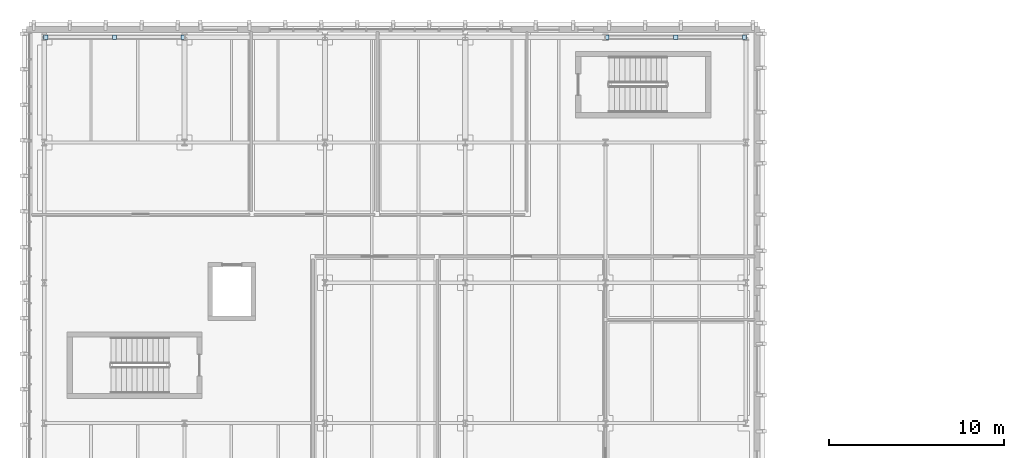
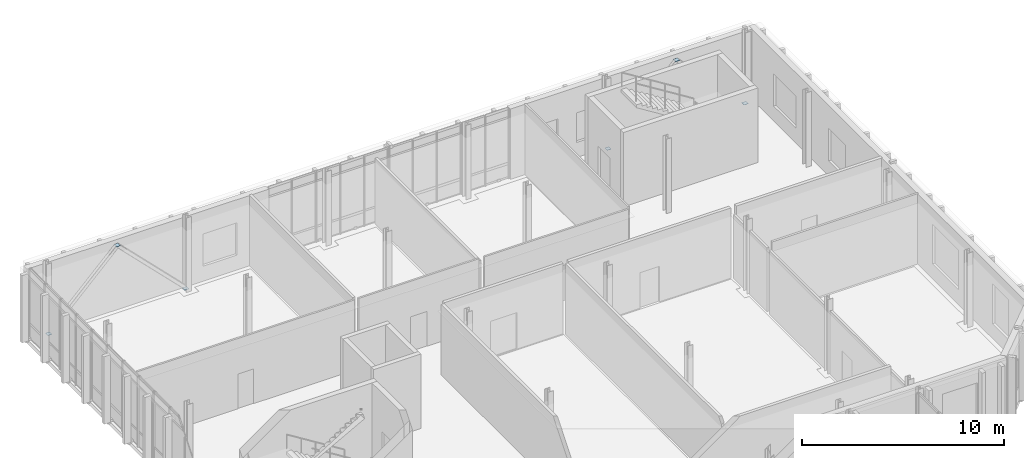
# One storey, part 57 of 86: 6 plates.
"""IFC4 building model written with IfcOpenShell, lengths in metres."""

from ifc_helpers import new_model, si_unit, direction, frame, origin, origin_2d, place, context, subcontext, project, spatial, rectangle, extrude, material, layer, layer_set, type_object, element, save


model = new_model("IFC4")

# Units and contexts
model_context = context("Model", 3, precision=1e-05, world=origin(), true_north=direction((0.0, 1.0)))
body_context = subcontext(model_context, "Body", "Model", "MODEL_VIEW")
ifc_project = project(units=[si_unit("LENGTHUNIT", "METRE"), si_unit("AREAUNIT", "SQUARE_METRE"), si_unit("VOLUMEUNIT", "CUBIC_METRE"), si_unit("PLANEANGLEUNIT", "RADIAN"), si_unit("MASSUNIT", "GRAM", prefix="KILO")], contexts=[model_context])

# Site, building, storey
site_placement = place(None, origin())
site = spatial("IfcSite", under=ifc_project, at=site_placement, CompositionType="ELEMENT")
building_placement = place(site_placement, origin())
building = spatial("IfcBuilding", under=site, at=building_placement, Name="Cymarion Research Institute", CompositionType="ELEMENT")
storey_placement = place(building_placement, frame((0.0, 0.0, 13.800048828125)))
storey = spatial("IfcBuildingStorey", under=building, at=storey_placement, Name="L03", CompositionType="ELEMENT", Elevation=13.800048828125)

# Plates
ifc_material = material(Name="Steel S355", Category="steel")
ifc_layer = layer(ifc_material, 0.011962890625)
ifc_layer_set = layer_set([ifc_layer], Name="Steel S355")
plate_type = type_object("IfcPlateType", Name="STEEL NODE GUSSET PLATE CP02 12MM", PredefinedType="USERDEFINED", material=ifc_layer_set)
for number, where, z_axis, x_axis, name in (
    (1, (10.60009765625, 115.5, 4.10400390625), (0.0, 0.0, 1.0), (1.0, 0.0, 0.0), "L03 V5 chevron apex gusset plate"),
    (2, (6.68505859375, 115.5, 0.11376953125), (0.0, 0.0, 1.0), (1.0, 0.0, 0.0), "L03 V5 chevron base gusset plate #1"),
    (3, (14.514892578125, 115.5, 0.11376953125), (0.0, 0.0, 1.0), (1.0, 0.0, 0.0), "L03 V5 chevron base gusset plate #2"),
    (4, (42.60009765625, 115.5, 4.10400390625), (0.0, 0.0, 1.0), (1.0, 0.0, 0.0), "L03 V5 chevron apex gusset plate"),
    (5, (38.68505859375, 115.5, 0.11376953125), (0.0, 0.0, 1.0), (1.0, 0.0, 0.0), "L03 V5 chevron base gusset plate #1"),
    (6, (46.514892578125, 115.5, 0.11376953125), (0.0, 0.0, 1.0), (1.0, 0.0, 0.0), "L03 V5 chevron base gusset plate #2"),
):
    element("IfcPlate", number, at=place(storey_placement, frame(where, z_axis=z_axis, x_axis=x_axis)), inside=storey, type_object=plate_type, Name=name, ObjectType="GUSSET PLATE", PredefinedType="USERDEFINED", context=body_context, shape_type="SweptSolid", body=[
        extrude(rectangle(XDim=0.239990234375, YDim=0.239990234375, at=origin_2d()), origin(), (0.0, 0.0, 1.0), 0.011962890625),
    ])

save(model, "model.ifc")
